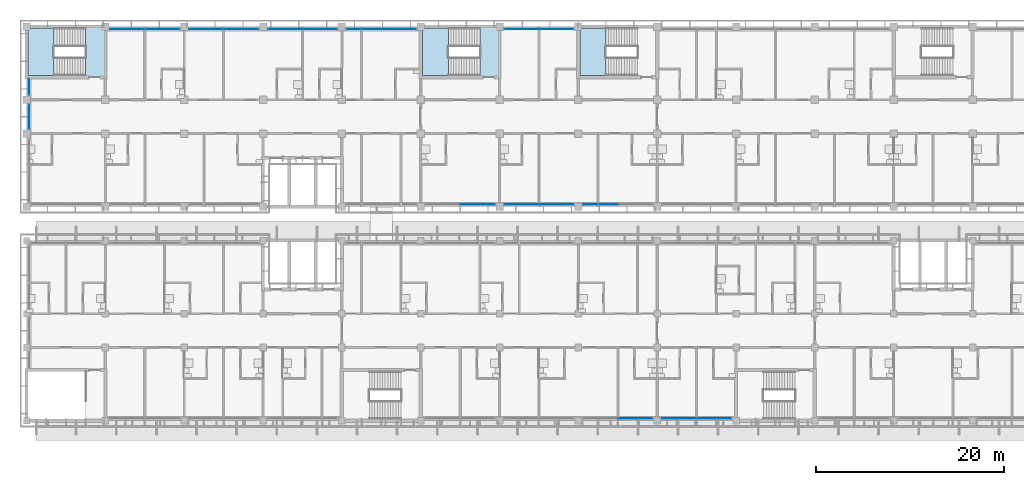
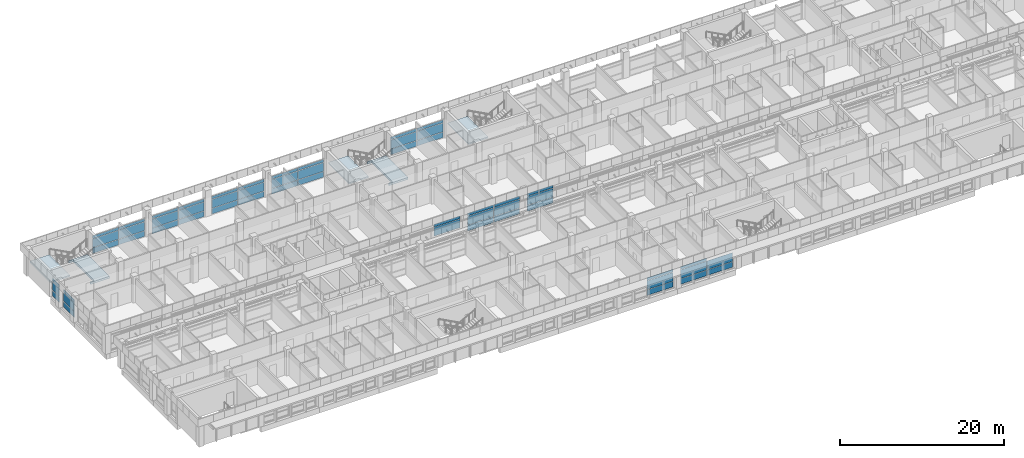
# One storey, part 22 of 71: 55 plates, 5 slabs, 15 elements without a shape of their own.
"""IFC4 building model written with IfcOpenShell, lengths in metres."""

from ifc_helpers import new_model, si_unit, direction, frame, origin, origin_2d, place, context, subcontext, project, spatial, polyline, rectangle, outline, extrude, material, layer, layer_set, type_object, element, aggregate, save


model = new_model("IFC4")

# Units and contexts
model_context = context("Model", 3, precision=1e-05, world=origin(), true_north=direction((0.0, 1.0)))
body_context = subcontext(model_context, "Body", "Model", "MODEL_VIEW")
ifc_project = project(units=[si_unit("LENGTHUNIT", "METRE"), si_unit("AREAUNIT", "SQUARE_METRE"), si_unit("VOLUMEUNIT", "CUBIC_METRE"), si_unit("PLANEANGLEUNIT", "RADIAN"), si_unit("MASSUNIT", "GRAM", prefix="KILO")], contexts=[model_context])

# Site, building, storey
site_placement = place(None, origin())
site = spatial("IfcSite", under=ifc_project, at=site_placement, CompositionType="ELEMENT")
building_placement = place(site_placement, origin())
building = spatial("IfcBuilding", under=site, at=building_placement, Name="Bougainvillea Quay General Hospital", CompositionType="ELEMENT")
storey_placement = place(building_placement, frame((0.0, 0.0, 24.89990234375)))
storey = spatial("IfcBuildingStorey", under=building, at=storey_placement, Name="L05", CompositionType="ELEMENT", Elevation=24.89990234375)

# Curtain wall, plates
ifc_material_1 = material(Name="Aluminium curtain wall system, powder-coated glazed", Category="aluminium")
curtain_wall_type_1 = type_object("IfcCurtainWallType", Name="Unitised curtain wall CW-3730", PredefinedType="NOTDEFINED", material=ifc_material_1)
curtain_wall_1_placement = place(storey_placement, origin())
curtain_wall_1 = element("IfcCurtainWall", 1, at=curtain_wall_1_placement, inside=storey, type_object=curtain_wall_type_1, Name="CW-4200 07", PredefinedType="NOTDEFINED")
ifc_material_2 = material(Name="Insulated aluminium spandrel panel, white", Category="aluminium")
ifc_layer_1 = layer(ifc_material_2, 0.028076171875)
ifc_layer_set_1 = layer_set([ifc_layer_1], Name="Insulated aluminium spandrel panel, white")
plate_type_1 = type_object("IfcPlateType", Name="Insulated spandrel panel white 28", PredefinedType="CURTAIN_PANEL", material=ifc_layer_set_1)
plate_1_placement = place(storey_placement, frame((98.449951171875, 159.35009765625, 0.06005859375), z_axis=(0.0, 0.0, 1.0), x_axis=(-1.0, 0.0, 0.0)))
plate_1 = element("IfcPlate", 2, at=plate_1_placement, type_object=plate_type_1, Name="CW-4200 spandrel panel 1.1", PredefinedType="CURTAIN_PANEL", context=body_context, shape_type="SweptSolid", body=[
    extrude(rectangle(XDim=3.639892578125, YDim=0.028076171875, at=origin_2d()), origin(), (0.0, 0.0, 1.0), 0.81005859375),
])
plate_2_placement = place(storey_placement, frame((98.449951171875, 159.35009765625, 2.2802734375), z_axis=(0.0, 0.0, 1.0), x_axis=(-1.0, 0.0, 0.0)))
plate_2 = element("IfcPlate", 3, at=plate_2_placement, type_object=plate_type_1, Name="CW-4200 spandrel panel 1.3", PredefinedType="CURTAIN_PANEL", context=body_context, shape_type="SweptSolid", body=[
    extrude(rectangle(XDim=3.639892578125, YDim=0.028076171875, at=origin_2d()), origin(), (0.0, 0.0, 1.0), 0.409912109375),
])
plate_3_placement = place(storey_placement, frame((94.75, 159.35009765625, 0.06005859375), z_axis=(0.0, 0.0, 1.0), x_axis=(-1.0, 0.0, 0.0)))
plate_3 = element("IfcPlate", 4, at=plate_3_placement, type_object=plate_type_1, Name="CW-4200 spandrel panel 2.1", PredefinedType="CURTAIN_PANEL", context=body_context, shape_type="SweptSolid", body=[
    extrude(rectangle(XDim=3.639892578125, YDim=0.028076171875, at=origin_2d()), origin(), (0.0, 0.0, 1.0), 0.81005859375),
])
plate_4_placement = place(storey_placement, frame((94.75, 159.35009765625, 2.2802734375), z_axis=(0.0, 0.0, 1.0), x_axis=(-1.0, 0.0, 0.0)))
plate_4 = element("IfcPlate", 5, at=plate_4_placement, type_object=plate_type_1, Name="CW-4200 spandrel panel 2.3", PredefinedType="CURTAIN_PANEL", context=body_context, shape_type="SweptSolid", body=[
    extrude(rectangle(XDim=3.639892578125, YDim=0.028076171875, at=origin_2d()), origin(), (0.0, 0.0, 1.0), 0.409912109375),
])

curtain_wall_2_placement = place(storey_placement, origin())
curtain_wall_2 = element("IfcCurtainWall", 6, at=curtain_wall_2_placement, inside=storey, type_object=curtain_wall_type_1, Name="CW-4200 08", PredefinedType="NOTDEFINED")
plate_5_placement = place(storey_placement, frame((81.64990234375, 159.35009765625, 0.06005859375), z_axis=(0.0, 0.0, 1.0), x_axis=(-1.0, 0.0, 0.0)))
plate_5 = element("IfcPlate", 7, at=plate_5_placement, type_object=plate_type_1, Name="CW-4200 spandrel panel 1.1", PredefinedType="CURTAIN_PANEL", context=body_context, shape_type="SweptSolid", body=[
    extrude(rectangle(XDim=3.639892578125, YDim=0.028076171875, at=origin_2d()), origin(), (0.0, 0.0, 1.0), 0.81005859375),
])
plate_6_placement = place(storey_placement, frame((81.64990234375, 159.35009765625, 2.2802734375), z_axis=(0.0, 0.0, 1.0), x_axis=(-1.0, 0.0, 0.0)))
plate_6 = element("IfcPlate", 8, at=plate_6_placement, type_object=plate_type_1, Name="CW-4200 spandrel panel 1.3", PredefinedType="CURTAIN_PANEL", context=body_context, shape_type="SweptSolid", body=[
    extrude(rectangle(XDim=3.639892578125, YDim=0.028076171875, at=origin_2d()), origin(), (0.0, 0.0, 1.0), 0.409912109375),
])
plate_7_placement = place(storey_placement, frame((77.949951171875, 159.35009765625, 0.06005859375), z_axis=(0.0, 0.0, 1.0), x_axis=(-1.0, 0.0, 0.0)))
plate_7 = element("IfcPlate", 9, at=plate_7_placement, type_object=plate_type_1, Name="CW-4200 spandrel panel 2.1", PredefinedType="CURTAIN_PANEL", context=body_context, shape_type="SweptSolid", body=[
    extrude(rectangle(XDim=3.639892578125, YDim=0.028076171875, at=origin_2d()), origin(), (0.0, 0.0, 1.0), 0.81005859375),
])
plate_8_placement = place(storey_placement, frame((77.949951171875, 159.35009765625, 2.2802734375), z_axis=(0.0, 0.0, 1.0), x_axis=(-1.0, 0.0, 0.0)))
plate_8 = element("IfcPlate", 10, at=plate_8_placement, type_object=plate_type_1, Name="CW-4200 spandrel panel 2.3", PredefinedType="CURTAIN_PANEL", context=body_context, shape_type="SweptSolid", body=[
    extrude(rectangle(XDim=3.639892578125, YDim=0.028076171875, at=origin_2d()), origin(), (0.0, 0.0, 1.0), 0.409912109375),
])

curtain_wall_3_placement = place(storey_placement, origin())
curtain_wall_3 = element("IfcCurtainWall", 11, at=curtain_wall_3_placement, inside=storey, type_object=curtain_wall_type_1, Name="CW-4200 09", PredefinedType="NOTDEFINED")
plate_9_placement = place(storey_placement, frame((73.25, 159.35009765625, 0.06005859375), z_axis=(0.0, 0.0, 1.0), x_axis=(-1.0, 0.0, 0.0)))
plate_9 = element("IfcPlate", 12, at=plate_9_placement, type_object=plate_type_1, Name="CW-4200 spandrel panel 1.1", PredefinedType="CURTAIN_PANEL", context=body_context, shape_type="SweptSolid", body=[
    extrude(rectangle(XDim=3.639892578125, YDim=0.028076171875, at=origin_2d()), origin(), (0.0, 0.0, 1.0), 0.81005859375),
])
plate_10_placement = place(storey_placement, frame((73.25, 159.35009765625, 2.2802734375), z_axis=(0.0, 0.0, 1.0), x_axis=(-1.0, 0.0, 0.0)))
plate_10 = element("IfcPlate", 13, at=plate_10_placement, type_object=plate_type_1, Name="CW-4200 spandrel panel 1.3", PredefinedType="CURTAIN_PANEL", context=body_context, shape_type="SweptSolid", body=[
    extrude(rectangle(XDim=3.639892578125, YDim=0.028076171875, at=origin_2d()), origin(), (0.0, 0.0, 1.0), 0.409912109375),
])
plate_11_placement = place(storey_placement, frame((69.550048828125, 159.35009765625, 0.06005859375), z_axis=(0.0, 0.0, 1.0), x_axis=(-1.0, 0.0, 0.0)))
plate_11 = element("IfcPlate", 14, at=plate_11_placement, type_object=plate_type_1, Name="CW-4200 spandrel panel 2.1", PredefinedType="CURTAIN_PANEL", context=body_context, shape_type="SweptSolid", body=[
    extrude(rectangle(XDim=3.639892578125, YDim=0.028076171875, at=origin_2d()), origin(), (0.0, 0.0, 1.0), 0.81005859375),
])
plate_12_placement = place(storey_placement, frame((69.550048828125, 159.35009765625, 2.2802734375), z_axis=(0.0, 0.0, 1.0), x_axis=(-1.0, 0.0, 0.0)))
plate_12 = element("IfcPlate", 15, at=plate_12_placement, type_object=plate_type_1, Name="CW-4200 spandrel panel 2.3", PredefinedType="CURTAIN_PANEL", context=body_context, shape_type="SweptSolid", body=[
    extrude(rectangle(XDim=3.639892578125, YDim=0.028076171875, at=origin_2d()), origin(), (0.0, 0.0, 1.0), 0.409912109375),
])

curtain_wall_4_placement = place(storey_placement, origin())
curtain_wall_4 = element("IfcCurtainWall", 16, at=curtain_wall_4_placement, inside=storey, type_object=curtain_wall_type_1, Name="CW-4200 10", PredefinedType="NOTDEFINED")
plate_13_placement = place(storey_placement, frame((64.85009765625, 159.35009765625, 0.06005859375), z_axis=(0.0, 0.0, 1.0), x_axis=(-1.0, 0.0, 0.0)))
plate_13 = element("IfcPlate", 17, at=plate_13_placement, type_object=plate_type_1, Name="CW-4200 spandrel panel 1.1", PredefinedType="CURTAIN_PANEL", context=body_context, shape_type="SweptSolid", body=[
    extrude(rectangle(XDim=3.639892578125, YDim=0.028076171875, at=origin_2d()), origin(), (0.0, 0.0, 1.0), 0.81005859375),
])
plate_14_placement = place(storey_placement, frame((64.85009765625, 159.35009765625, 2.2802734375), z_axis=(0.0, 0.0, 1.0), x_axis=(-1.0, 0.0, 0.0)))
plate_14 = element("IfcPlate", 18, at=plate_14_placement, type_object=plate_type_1, Name="CW-4200 spandrel panel 1.3", PredefinedType="CURTAIN_PANEL", context=body_context, shape_type="SweptSolid", body=[
    extrude(rectangle(XDim=3.639892578125, YDim=0.028076171875, at=origin_2d()), origin(), (0.0, 0.0, 1.0), 0.409912109375),
])
plate_15_placement = place(storey_placement, frame((61.14990234375, 159.35009765625, 0.06005859375), z_axis=(0.0, 0.0, 1.0), x_axis=(-1.0, 0.0, 0.0)))
plate_15 = element("IfcPlate", 19, at=plate_15_placement, type_object=plate_type_1, Name="CW-4200 spandrel panel 2.1", PredefinedType="CURTAIN_PANEL", context=body_context, shape_type="SweptSolid", body=[
    extrude(rectangle(XDim=3.639892578125, YDim=0.028076171875, at=origin_2d()), origin(), (0.0, 0.0, 1.0), 0.81005859375),
])
plate_16_placement = place(storey_placement, frame((61.14990234375, 159.35009765625, 2.2802734375), z_axis=(0.0, 0.0, 1.0), x_axis=(-1.0, 0.0, 0.0)))
plate_16 = element("IfcPlate", 20, at=plate_16_placement, type_object=plate_type_1, Name="CW-4200 spandrel panel 2.3", PredefinedType="CURTAIN_PANEL", context=body_context, shape_type="SweptSolid", body=[
    extrude(rectangle(XDim=3.639892578125, YDim=0.028076171875, at=origin_2d()), origin(), (0.0, 0.0, 1.0), 0.409912109375),
])

curtain_wall_5_placement = place(storey_placement, origin())
curtain_wall_5 = element("IfcCurtainWall", 21, at=curtain_wall_5_placement, inside=storey, type_object=curtain_wall_type_1, Name="CW-4200 11", PredefinedType="NOTDEFINED")
plate_17_placement = place(storey_placement, frame((56.449951171875, 159.35009765625, 0.06005859375), z_axis=(0.0, 0.0, 1.0), x_axis=(-1.0, 0.0, 0.0)))
plate_17 = element("IfcPlate", 22, at=plate_17_placement, type_object=plate_type_1, Name="CW-4200 spandrel panel 1.1", PredefinedType="CURTAIN_PANEL", context=body_context, shape_type="SweptSolid", body=[
    extrude(rectangle(XDim=3.639892578125, YDim=0.028076171875, at=origin_2d()), origin(), (0.0, 0.0, 1.0), 0.81005859375),
])
plate_18_placement = place(storey_placement, frame((56.449951171875, 159.35009765625, 2.2802734375), z_axis=(0.0, 0.0, 1.0), x_axis=(-1.0, 0.0, 0.0)))
plate_18 = element("IfcPlate", 23, at=plate_18_placement, type_object=plate_type_1, Name="CW-4200 spandrel panel 1.3", PredefinedType="CURTAIN_PANEL", context=body_context, shape_type="SweptSolid", body=[
    extrude(rectangle(XDim=3.639892578125, YDim=0.028076171875, at=origin_2d()), origin(), (0.0, 0.0, 1.0), 0.409912109375),
])
plate_19_placement = place(storey_placement, frame((52.75, 159.35009765625, 0.06005859375), z_axis=(0.0, 0.0, 1.0), x_axis=(-1.0, 0.0, 0.0)))
plate_19 = element("IfcPlate", 24, at=plate_19_placement, type_object=plate_type_1, Name="CW-4200 spandrel panel 2.1", PredefinedType="CURTAIN_PANEL", context=body_context, shape_type="SweptSolid", body=[
    extrude(rectangle(XDim=3.639892578125, YDim=0.028076171875, at=origin_2d()), origin(), (0.0, 0.0, 1.0), 0.81005859375),
])
plate_20_placement = place(storey_placement, frame((52.75, 159.35009765625, 2.2802734375), z_axis=(0.0, 0.0, 1.0), x_axis=(-1.0, 0.0, 0.0)))
plate_20 = element("IfcPlate", 25, at=plate_20_placement, type_object=plate_type_1, Name="CW-4200 spandrel panel 2.3", PredefinedType="CURTAIN_PANEL", context=body_context, shape_type="SweptSolid", body=[
    extrude(rectangle(XDim=3.639892578125, YDim=0.028076171875, at=origin_2d()), origin(), (0.0, 0.0, 1.0), 0.409912109375),
])

curtain_wall_type_2 = type_object("IfcCurtainWallType", Name="Unitised curtain wall CW-1755", PredefinedType="NOTDEFINED", material=ifc_material_1)
curtain_wall_6_placement = place(storey_placement, origin())
curtain_wall_6 = element("IfcCurtainWall", 26, at=curtain_wall_6_placement, inside=storey, type_object=curtain_wall_type_2, Name="CW-4200 00", PredefinedType="NOTDEFINED")
plate_21_placement = place(storey_placement, frame((42.25, 153.1474609375, 0.06005859375), z_axis=(0.0, 0.0, 1.0), x_axis=(0.0, -1.0, 0.0)))
plate_21 = element("IfcPlate", 27, at=plate_21_placement, type_object=plate_type_1, Name="CW-4200 spandrel panel 1.1", PredefinedType="CURTAIN_PANEL", context=body_context, shape_type="SweptSolid", body=[
    extrude(rectangle(XDim=1.635009765625, YDim=0.028076171875, at=origin_2d()), origin(), (0.0, 0.0, 1.0), 0.81005859375),
])
plate_22_placement = place(storey_placement, frame((42.25, 153.1474609375, 2.2802734375), z_axis=(0.0, 0.0, 1.0), x_axis=(0.0, -1.0, 0.0)))
plate_22 = element("IfcPlate", 28, at=plate_22_placement, type_object=plate_type_1, Name="CW-4200 spandrel panel 1.3", PredefinedType="CURTAIN_PANEL", context=body_context, shape_type="SweptSolid", body=[
    extrude(rectangle(XDim=1.635009765625, YDim=0.028076171875, at=origin_2d()), origin(), (0.0, 0.0, 1.0), 0.409912109375),
])

curtain_wall_type_3 = type_object("IfcCurtainWallType", Name="Unitised curtain wall CW-2660", PredefinedType="NOTDEFINED", material=ifc_material_1)
curtain_wall_7_placement = place(storey_placement, origin())
curtain_wall_7 = element("IfcCurtainWall", 29, at=curtain_wall_7_placement, inside=storey, type_object=curtain_wall_type_3, Name="CW-4200 01", PredefinedType="NOTDEFINED")
plate_23_placement = place(storey_placement, frame((42.25, 150.0, 0.06005859375), z_axis=(0.0, 0.0, 1.0), x_axis=(0.0, -1.0, 0.0)))
plate_23 = element("IfcPlate", 30, at=plate_23_placement, type_object=plate_type_1, Name="CW-4200 spandrel panel 1.1", PredefinedType="CURTAIN_PANEL", context=body_context, shape_type="SweptSolid", body=[
    extrude(rectangle(XDim=2.5400390625, YDim=0.028076171875, at=origin_2d()), origin(), (0.0, 0.0, 1.0), 0.81005859375),
])
plate_24_placement = place(storey_placement, frame((42.25, 150.0, 2.2802734375), z_axis=(0.0, 0.0, 1.0), x_axis=(0.0, -1.0, 0.0)))
plate_24 = element("IfcPlate", 31, at=plate_24_placement, type_object=plate_type_1, Name="CW-4200 spandrel panel 1.3", PredefinedType="CURTAIN_PANEL", context=body_context, shape_type="SweptSolid", body=[
    extrude(rectangle(XDim=2.5400390625, YDim=0.028076171875, at=origin_2d()), origin(), (0.0, 0.0, 1.0), 0.409912109375),
])

# Curtain wall, plate
curtain_wall_8_placement = place(storey_placement, origin())
curtain_wall_8 = element("IfcCurtainWall", 32, at=curtain_wall_8_placement, inside=storey, type_object=curtain_wall_type_1, Name="CW-4200 01", PredefinedType="NOTDEFINED")
plate_25_placement = place(storey_placement, frame((90.050048828125, 140.64990234375, 2.2802734375), z_axis=(0.0, 0.0, 1.0), x_axis=(1.0, 0.0, 0.0)))
plate_25 = element("IfcPlate", 33, at=plate_25_placement, type_object=plate_type_1, Name="CW-4200 spandrel panel 2.3", PredefinedType="CURTAIN_PANEL", context=body_context, shape_type="SweptSolid", body=[
    extrude(rectangle(XDim=3.639892578125, YDim=0.028076171875, at=origin_2d()), origin(), (0.0, 0.0, 1.0), 0.409912109375),
])

# Curtain wall, plates
curtain_wall_9_placement = place(storey_placement, origin())
curtain_wall_9 = element("IfcCurtainWall", 34, at=curtain_wall_9_placement, inside=storey, type_object=curtain_wall_type_1, Name="CW-4200 02", PredefinedType="NOTDEFINED")
plate_26_placement = place(storey_placement, frame((94.75, 140.64990234375, 0.06005859375), z_axis=(0.0, 0.0, 1.0), x_axis=(1.0, 0.0, 0.0)))
plate_26 = element("IfcPlate", 35, at=plate_26_placement, type_object=plate_type_1, Name="CW-4200 spandrel panel 1.1", PredefinedType="CURTAIN_PANEL", context=body_context, shape_type="SweptSolid", body=[
    extrude(rectangle(XDim=3.639892578125, YDim=0.028076171875, at=origin_2d()), origin(), (0.0, 0.0, 1.0), 0.81005859375),
])
plate_27_placement = place(storey_placement, frame((94.75, 140.64990234375, 2.2802734375), z_axis=(0.0, 0.0, 1.0), x_axis=(1.0, 0.0, 0.0)))
plate_27 = element("IfcPlate", 36, at=plate_27_placement, type_object=plate_type_1, Name="CW-4200 spandrel panel 1.3", PredefinedType="CURTAIN_PANEL", context=body_context, shape_type="SweptSolid", body=[
    extrude(rectangle(XDim=3.639892578125, YDim=0.028076171875, at=origin_2d()), origin(), (0.0, 0.0, 1.0), 0.409912109375),
])
plate_28_placement = place(storey_placement, frame((98.449951171875, 140.64990234375, 0.06005859375), z_axis=(0.0, 0.0, 1.0), x_axis=(1.0, 0.0, 0.0)))
plate_28 = element("IfcPlate", 37, at=plate_28_placement, type_object=plate_type_1, Name="CW-4200 spandrel panel 2.1", PredefinedType="CURTAIN_PANEL", context=body_context, shape_type="SweptSolid", body=[
    extrude(rectangle(XDim=3.639892578125, YDim=0.028076171875, at=origin_2d()), origin(), (0.0, 0.0, 1.0), 0.81005859375),
])
plate_29_placement = place(storey_placement, frame((98.449951171875, 140.64990234375, 2.2802734375), z_axis=(0.0, 0.0, 1.0), x_axis=(1.0, 0.0, 0.0)))
plate_29 = element("IfcPlate", 38, at=plate_29_placement, type_object=plate_type_1, Name="CW-4200 spandrel panel 2.3", PredefinedType="CURTAIN_PANEL", context=body_context, shape_type="SweptSolid", body=[
    extrude(rectangle(XDim=3.639892578125, YDim=0.028076171875, at=origin_2d()), origin(), (0.0, 0.0, 1.0), 0.409912109375),
])

curtain_wall_10_placement = place(storey_placement, origin())
curtain_wall_10 = element("IfcCurtainWall", 39, at=curtain_wall_10_placement, inside=storey, type_object=curtain_wall_type_1, Name="CW-4200 03", PredefinedType="NOTDEFINED")
plate_30_placement = place(storey_placement, frame((103.14990234375, 140.64990234375, 0.06005859375), z_axis=(0.0, 0.0, 1.0), x_axis=(1.0, 0.0, 0.0)))
plate_30 = element("IfcPlate", 40, at=plate_30_placement, type_object=plate_type_1, Name="CW-4200 spandrel panel 1.1", PredefinedType="CURTAIN_PANEL", context=body_context, shape_type="SweptSolid", body=[
    extrude(rectangle(XDim=3.639892578125, YDim=0.028076171875, at=origin_2d()), origin(), (0.0, 0.0, 1.0), 0.81005859375),
])
plate_31_placement = place(storey_placement, frame((103.14990234375, 140.64990234375, 2.2802734375), z_axis=(0.0, 0.0, 1.0), x_axis=(1.0, 0.0, 0.0)))
plate_31 = element("IfcPlate", 41, at=plate_31_placement, type_object=plate_type_1, Name="CW-4200 spandrel panel 1.3", PredefinedType="CURTAIN_PANEL", context=body_context, shape_type="SweptSolid", body=[
    extrude(rectangle(XDim=3.639892578125, YDim=0.028076171875, at=origin_2d()), origin(), (0.0, 0.0, 1.0), 0.409912109375),
])

curtain_wall_11_placement = place(storey_placement, origin())
curtain_wall_11 = element("IfcCurtainWall", 42, at=curtain_wall_11_placement, inside=storey, type_object=curtain_wall_type_1, Name="CW-4200 05", PredefinedType="NOTDEFINED")
plate_32_placement = place(storey_placement, frame((106.85009765625, 117.85009765625, 0.06005859375), z_axis=(0.0, 0.0, 1.0), x_axis=(1.0, 0.0, 0.0)))
plate_32 = element("IfcPlate", 43, at=plate_32_placement, type_object=plate_type_1, Name="CW-4200 spandrel panel 2.1", PredefinedType="CURTAIN_PANEL", context=body_context, shape_type="SweptSolid", body=[
    extrude(rectangle(XDim=3.639892578125, YDim=0.028076171875, at=origin_2d()), origin(), (0.0, 0.0, 1.0), 0.81005859375),
])
plate_33_placement = place(storey_placement, frame((106.85009765625, 117.85009765625, 2.2802734375), z_axis=(0.0, 0.0, 1.0), x_axis=(1.0, 0.0, 0.0)))
plate_33 = element("IfcPlate", 44, at=plate_33_placement, type_object=plate_type_1, Name="CW-4200 spandrel panel 2.3", PredefinedType="CURTAIN_PANEL", context=body_context, shape_type="SweptSolid", body=[
    extrude(rectangle(XDim=3.639892578125, YDim=0.028076171875, at=origin_2d()), origin(), (0.0, 0.0, 1.0), 0.409912109375),
])

curtain_wall_12_placement = place(storey_placement, origin())
curtain_wall_12 = element("IfcCurtainWall", 45, at=curtain_wall_12_placement, inside=storey, type_object=curtain_wall_type_1, Name="CW-4200 06", PredefinedType="NOTDEFINED")
plate_34_placement = place(storey_placement, frame((111.550048828125, 117.85009765625, 0.06005859375), z_axis=(0.0, 0.0, 1.0), x_axis=(1.0, 0.0, 0.0)))
plate_34 = element("IfcPlate", 46, at=plate_34_placement, type_object=plate_type_1, Name="CW-4200 spandrel panel 1.1", PredefinedType="CURTAIN_PANEL", context=body_context, shape_type="SweptSolid", body=[
    extrude(rectangle(XDim=3.639892578125, YDim=0.028076171875, at=origin_2d()), origin(), (0.0, 0.0, 1.0), 0.81005859375),
])
plate_35_placement = place(storey_placement, frame((111.550048828125, 117.85009765625, 2.2802734375), z_axis=(0.0, 0.0, 1.0), x_axis=(1.0, 0.0, 0.0)))
plate_35 = element("IfcPlate", 47, at=plate_35_placement, type_object=plate_type_1, Name="CW-4200 spandrel panel 1.3", PredefinedType="CURTAIN_PANEL", context=body_context, shape_type="SweptSolid", body=[
    extrude(rectangle(XDim=3.639892578125, YDim=0.028076171875, at=origin_2d()), origin(), (0.0, 0.0, 1.0), 0.409912109375),
])
plate_36_placement = place(storey_placement, frame((115.25, 117.85009765625, 0.06005859375), z_axis=(0.0, 0.0, 1.0), x_axis=(1.0, 0.0, 0.0)))
plate_36 = element("IfcPlate", 48, at=plate_36_placement, type_object=plate_type_1, Name="CW-4200 spandrel panel 2.1", PredefinedType="CURTAIN_PANEL", context=body_context, shape_type="SweptSolid", body=[
    extrude(rectangle(XDim=3.639892578125, YDim=0.028076171875, at=origin_2d()), origin(), (0.0, 0.0, 1.0), 0.81005859375),
])

# Plate
ifc_material_3 = material(Name="Low-e laminated glass, solar control", Category="glass")
ifc_layer_2 = layer(ifc_material_3, 0.028076171875)
ifc_layer_set_2 = layer_set([ifc_layer_2], Name="Low-e laminated glass, solar control")
plate_type_2 = type_object("IfcPlateType", Name="Low-e laminated vision glass 28", PredefinedType="CURTAIN_PANEL", material=ifc_layer_set_2)
plate_37_placement = place(storey_placement, frame((98.449951171875, 159.35009765625, 0.93017578125), z_axis=(0.0, 0.0, 1.0), x_axis=(-1.0, 0.0, 0.0)))
plate_37 = element("IfcPlate", 49, at=plate_37_placement, type_object=plate_type_2, Name="CW-4200 vision glass panel 1.2", PredefinedType="CURTAIN_PANEL", context=body_context, shape_type="SweptSolid", body=[
    extrude(rectangle(XDim=3.639892578125, YDim=0.028076171875, at=origin_2d()), origin(), (0.0, 0.0, 1.0), 1.2900390625),
])

plate_38_placement = place(storey_placement, frame((94.75, 159.35009765625, 0.93017578125), z_axis=(0.0, 0.0, 1.0), x_axis=(-1.0, 0.0, 0.0)))
plate_38 = element("IfcPlate", 50, at=plate_38_placement, type_object=plate_type_2, Name="CW-4200 vision glass panel 2.2", PredefinedType="CURTAIN_PANEL", context=body_context, shape_type="SweptSolid", body=[
    extrude(rectangle(XDim=3.639892578125, YDim=0.028076171875, at=origin_2d()), origin(), (0.0, 0.0, 1.0), 1.2900390625),
])

aggregate(curtain_wall_1, [plate_1, plate_37, plate_2, plate_3, plate_38, plate_4])

plate_39_placement = place(storey_placement, frame((81.64990234375, 159.35009765625, 0.93017578125), z_axis=(0.0, 0.0, 1.0), x_axis=(-1.0, 0.0, 0.0)))
plate_39 = element("IfcPlate", 51, at=plate_39_placement, type_object=plate_type_2, Name="CW-4200 vision glass panel 1.2", PredefinedType="CURTAIN_PANEL", context=body_context, shape_type="SweptSolid", body=[
    extrude(rectangle(XDim=3.639892578125, YDim=0.028076171875, at=origin_2d()), origin(), (0.0, 0.0, 1.0), 1.2900390625),
])

plate_40_placement = place(storey_placement, frame((77.949951171875, 159.35009765625, 0.93017578125), z_axis=(0.0, 0.0, 1.0), x_axis=(-1.0, 0.0, 0.0)))
plate_40 = element("IfcPlate", 52, at=plate_40_placement, type_object=plate_type_2, Name="CW-4200 vision glass panel 2.2", PredefinedType="CURTAIN_PANEL", context=body_context, shape_type="SweptSolid", body=[
    extrude(rectangle(XDim=3.639892578125, YDim=0.028076171875, at=origin_2d()), origin(), (0.0, 0.0, 1.0), 1.2900390625),
])

aggregate(curtain_wall_2, [plate_5, plate_39, plate_6, plate_7, plate_40, plate_8])

plate_41_placement = place(storey_placement, frame((73.25, 159.35009765625, 0.93017578125), z_axis=(0.0, 0.0, 1.0), x_axis=(-1.0, 0.0, 0.0)))
plate_41 = element("IfcPlate", 53, at=plate_41_placement, type_object=plate_type_2, Name="CW-4200 vision glass panel 1.2", PredefinedType="CURTAIN_PANEL", context=body_context, shape_type="SweptSolid", body=[
    extrude(rectangle(XDim=3.639892578125, YDim=0.028076171875, at=origin_2d()), origin(), (0.0, 0.0, 1.0), 1.2900390625),
])

plate_42_placement = place(storey_placement, frame((69.550048828125, 159.35009765625, 0.93017578125), z_axis=(0.0, 0.0, 1.0), x_axis=(-1.0, 0.0, 0.0)))
plate_42 = element("IfcPlate", 54, at=plate_42_placement, type_object=plate_type_2, Name="CW-4200 vision glass panel 2.2", PredefinedType="CURTAIN_PANEL", context=body_context, shape_type="SweptSolid", body=[
    extrude(rectangle(XDim=3.639892578125, YDim=0.028076171875, at=origin_2d()), origin(), (0.0, 0.0, 1.0), 1.2900390625),
])

aggregate(curtain_wall_3, [plate_9, plate_41, plate_10, plate_11, plate_42, plate_12])

plate_43_placement = place(storey_placement, frame((64.85009765625, 159.35009765625, 0.93017578125), z_axis=(0.0, 0.0, 1.0), x_axis=(-1.0, 0.0, 0.0)))
plate_43 = element("IfcPlate", 55, at=plate_43_placement, type_object=plate_type_2, Name="CW-4200 vision glass panel 1.2", PredefinedType="CURTAIN_PANEL", context=body_context, shape_type="SweptSolid", body=[
    extrude(rectangle(XDim=3.639892578125, YDim=0.028076171875, at=origin_2d()), origin(), (0.0, 0.0, 1.0), 1.2900390625),
])

plate_44_placement = place(storey_placement, frame((61.14990234375, 159.35009765625, 0.93017578125), z_axis=(0.0, 0.0, 1.0), x_axis=(-1.0, 0.0, 0.0)))
plate_44 = element("IfcPlate", 56, at=plate_44_placement, type_object=plate_type_2, Name="CW-4200 vision glass panel 2.2", PredefinedType="CURTAIN_PANEL", context=body_context, shape_type="SweptSolid", body=[
    extrude(rectangle(XDim=3.639892578125, YDim=0.028076171875, at=origin_2d()), origin(), (0.0, 0.0, 1.0), 1.2900390625),
])

aggregate(curtain_wall_4, [plate_13, plate_43, plate_14, plate_15, plate_44, plate_16])

plate_45_placement = place(storey_placement, frame((56.449951171875, 159.35009765625, 0.93017578125), z_axis=(0.0, 0.0, 1.0), x_axis=(-1.0, 0.0, 0.0)))
plate_45 = element("IfcPlate", 57, at=plate_45_placement, type_object=plate_type_2, Name="CW-4200 vision glass panel 1.2", PredefinedType="CURTAIN_PANEL", context=body_context, shape_type="SweptSolid", body=[
    extrude(rectangle(XDim=3.639892578125, YDim=0.028076171875, at=origin_2d()), origin(), (0.0, 0.0, 1.0), 1.2900390625),
])

plate_46_placement = place(storey_placement, frame((52.75, 159.35009765625, 0.93017578125), z_axis=(0.0, 0.0, 1.0), x_axis=(-1.0, 0.0, 0.0)))
plate_46 = element("IfcPlate", 58, at=plate_46_placement, type_object=plate_type_2, Name="CW-4200 vision glass panel 2.2", PredefinedType="CURTAIN_PANEL", context=body_context, shape_type="SweptSolid", body=[
    extrude(rectangle(XDim=3.639892578125, YDim=0.028076171875, at=origin_2d()), origin(), (0.0, 0.0, 1.0), 1.2900390625),
])

aggregate(curtain_wall_5, [plate_17, plate_45, plate_18, plate_19, plate_46, plate_20])

plate_47_placement = place(storey_placement, frame((42.25, 153.1474609375, 0.93017578125), z_axis=(0.0, 0.0, 1.0), x_axis=(0.0, -1.0, 0.0)))
plate_47 = element("IfcPlate", 59, at=plate_47_placement, type_object=plate_type_2, Name="CW-4200 vision glass panel 1.2", PredefinedType="CURTAIN_PANEL", context=body_context, shape_type="SweptSolid", body=[
    extrude(rectangle(XDim=1.635009765625, YDim=0.028076171875, at=origin_2d()), origin(), (0.0, 0.0, 1.0), 1.2900390625),
])

aggregate(curtain_wall_6, [plate_21, plate_47, plate_22])

plate_48_placement = place(storey_placement, frame((42.25, 150.0, 0.93017578125), z_axis=(0.0, 0.0, 1.0), x_axis=(0.0, -1.0, 0.0)))
plate_48 = element("IfcPlate", 60, at=plate_48_placement, type_object=plate_type_2, Name="CW-4200 vision glass panel 1.2", PredefinedType="CURTAIN_PANEL", context=body_context, shape_type="SweptSolid", body=[
    extrude(rectangle(XDim=2.5400390625, YDim=0.028076171875, at=origin_2d()), origin(), (0.0, 0.0, 1.0), 1.2900390625),
])

aggregate(curtain_wall_7, [plate_23, plate_48, plate_24])

plate_49_placement = place(storey_placement, frame((90.050048828125, 140.64990234375, 0.93017578125), z_axis=(0.0, 0.0, 1.0), x_axis=(1.0, 0.0, 0.0)))
plate_49 = element("IfcPlate", 61, at=plate_49_placement, type_object=plate_type_2, Name="CW-4200 vision glass panel 2.2", PredefinedType="CURTAIN_PANEL", context=body_context, shape_type="SweptSolid", body=[
    extrude(rectangle(XDim=3.639892578125, YDim=0.028076171875, at=origin_2d()), origin(), (0.0, 0.0, 1.0), 1.2900390625),
])

aggregate(curtain_wall_8, [plate_49, plate_25])

plate_50_placement = place(storey_placement, frame((94.75, 140.64990234375, 0.93017578125), z_axis=(0.0, 0.0, 1.0), x_axis=(1.0, 0.0, 0.0)))
plate_50 = element("IfcPlate", 62, at=plate_50_placement, type_object=plate_type_2, Name="CW-4200 vision glass panel 1.2", PredefinedType="CURTAIN_PANEL", context=body_context, shape_type="SweptSolid", body=[
    extrude(rectangle(XDim=3.639892578125, YDim=0.028076171875, at=origin_2d()), origin(), (0.0, 0.0, 1.0), 1.2900390625),
])

plate_51_placement = place(storey_placement, frame((98.449951171875, 140.64990234375, 0.93017578125), z_axis=(0.0, 0.0, 1.0), x_axis=(1.0, 0.0, 0.0)))
plate_51 = element("IfcPlate", 63, at=plate_51_placement, type_object=plate_type_2, Name="CW-4200 vision glass panel 2.2", PredefinedType="CURTAIN_PANEL", context=body_context, shape_type="SweptSolid", body=[
    extrude(rectangle(XDim=3.639892578125, YDim=0.028076171875, at=origin_2d()), origin(), (0.0, 0.0, 1.0), 1.2900390625),
])

aggregate(curtain_wall_9, [plate_26, plate_50, plate_27, plate_28, plate_51, plate_29])

plate_52_placement = place(storey_placement, frame((103.14990234375, 140.64990234375, 0.93017578125), z_axis=(0.0, 0.0, 1.0), x_axis=(1.0, 0.0, 0.0)))
plate_52 = element("IfcPlate", 64, at=plate_52_placement, type_object=plate_type_2, Name="CW-4200 vision glass panel 1.2", PredefinedType="CURTAIN_PANEL", context=body_context, shape_type="SweptSolid", body=[
    extrude(rectangle(XDim=3.639892578125, YDim=0.028076171875, at=origin_2d()), origin(), (0.0, 0.0, 1.0), 1.2900390625),
])

aggregate(curtain_wall_10, [plate_30, plate_52, plate_31])

plate_53_placement = place(storey_placement, frame((106.85009765625, 117.85009765625, 0.93017578125), z_axis=(0.0, 0.0, 1.0), x_axis=(1.0, 0.0, 0.0)))
plate_53 = element("IfcPlate", 65, at=plate_53_placement, type_object=plate_type_2, Name="CW-4200 vision glass panel 2.2", PredefinedType="CURTAIN_PANEL", context=body_context, shape_type="SweptSolid", body=[
    extrude(rectangle(XDim=3.639892578125, YDim=0.028076171875, at=origin_2d()), origin(), (0.0, 0.0, 1.0), 1.2900390625),
])

aggregate(curtain_wall_11, [plate_32, plate_53, plate_33])

plate_54_placement = place(storey_placement, frame((111.550048828125, 117.85009765625, 0.93017578125), z_axis=(0.0, 0.0, 1.0), x_axis=(1.0, 0.0, 0.0)))
plate_54 = element("IfcPlate", 66, at=plate_54_placement, type_object=plate_type_2, Name="CW-4200 vision glass panel 1.2", PredefinedType="CURTAIN_PANEL", context=body_context, shape_type="SweptSolid", body=[
    extrude(rectangle(XDim=3.639892578125, YDim=0.028076171875, at=origin_2d()), origin(), (0.0, 0.0, 1.0), 1.2900390625),
])

plate_55_placement = place(storey_placement, frame((115.25, 117.85009765625, 0.93017578125), z_axis=(0.0, 0.0, 1.0), x_axis=(1.0, 0.0, 0.0)))
plate_55 = element("IfcPlate", 67, at=plate_55_placement, type_object=plate_type_2, Name="CW-4200 vision glass panel 2.2", PredefinedType="CURTAIN_PANEL", context=body_context, shape_type="SweptSolid", body=[
    extrude(rectangle(XDim=3.639892578125, YDim=0.028076171875, at=origin_2d()), origin(), (0.0, 0.0, 1.0), 1.2900390625),
])

aggregate(curtain_wall_12, [plate_34, plate_54, plate_35, plate_36, plate_55])

# Slabs
ifc_material_4 = material(Name="Concrete C35", Category="concrete")
ifc_layer_3 = layer(ifc_material_4, 0.300048828125)
ifc_layer_set_3 = layer_set([ifc_layer_3], Name="Concrete C35")
slab_type_1 = type_object("IfcSlabType", Name="RC FLAT SLAB 300 C35", PredefinedType="FLOOR", material=ifc_layer_set_3)
slab_1_placement = place(storey_placement, frame((0.0, 0.0, -0.2998046875)))
element("IfcSlab", 68, at=slab_1_placement, inside=storey, type_object=slab_type_1, Name="Stair landing floor ST-A1 L05", PredefinedType="FLOOR", context=body_context, shape_type="SweptSolid", body=[
    extrude(outline(polyline([(47.702880859375, 159.48388671875), (47.71142578125, 159.5419921875), (47.725830078125, 159.599609375), (50.39990234375, 159.60009765625), (50.39990234375, 154.199951171875), (47.725830078125, 154.200439453125), (47.71142578125, 154.2578125), (47.702880859375, 154.316162109375), (47.699951171875, 154.3740234375), (48.300537109375, 154.374267578125), (48.300537109375, 159.425537109375), (47.699951171875, 159.426025390625), (47.702880859375, 159.48388671875)])), origin(), (0.0, 0.0, 1.0), 0.2998046875),
])
slab_2_placement = place(storey_placement, frame((0.0, 0.0, -0.2998046875)))
element("IfcSlab", 69, at=slab_2_placement, inside=storey, type_object=slab_type_1, Name="Stair landing floor ST-A2 L05", PredefinedType="FLOOR", context=body_context, shape_type="SweptSolid", body=[
    extrude(outline(polyline([(89.702880859375, 159.48388671875), (89.71142578125, 159.5419921875), (89.725830078125, 159.599609375), (92.39990234375, 159.60009765625), (92.39990234375, 154.199951171875), (89.725830078125, 154.200439453125), (89.71142578125, 154.2578125), (89.702880859375, 154.316162109375), (89.699951171875, 154.3740234375), (90.300537109375, 154.374267578125), (90.300537109375, 159.425537109375), (89.699951171875, 159.426025390625), (89.702880859375, 159.48388671875)])), origin(), (0.0, 0.0, 1.0), 0.2998046875),
])

# Stair, slab
stair_type = type_object("IfcStairType", Name="Stair half-turn 1925 wide", PredefinedType="HALF_TURN_STAIR", material=ifc_material_4)
stair_1_placement = place(storey_placement, origin())
stair_1 = element("IfcStair", 70, at=stair_1_placement, inside=storey, type_object=stair_type, Name="L05 stair ST-A1", PredefinedType="HALF_TURN_STAIR")
ifc_layer_4 = layer(ifc_material_4, 0.199951171875)
ifc_layer_set_4 = layer_set([ifc_layer_4], Name="Concrete C35")
slab_type_2 = type_object("IfcSlabType", Name="Stair landing 200", PredefinedType="LANDING", material=ifc_layer_set_4)
slab_3_placement = place(storey_placement, frame((0.0, 0.0, 1.75)))
slab_3 = element("IfcSlab", 71, at=slab_3_placement, type_object=slab_type_2, Name="ST-A1 landing 1", PredefinedType="LANDING", context=body_context, shape_type="SweptSolid", body=[
    extrude(outline(polyline([(44.93994140625, 159.425048828125), (42.175048828125, 159.425048828125), (42.175048828125, 154.375), (44.93994140625, 154.375), (44.93994140625, 159.425048828125)])), origin(), (0.0, 0.0, 1.0), 0.2001953125),
])
aggregate(stair_1, [slab_3])

stair_2_placement = place(storey_placement, origin())
stair_2 = element("IfcStair", 72, at=stair_2_placement, inside=storey, type_object=stair_type, Name="L05 stair ST-A2", PredefinedType="HALF_TURN_STAIR")
slab_4_placement = place(storey_placement, frame((0.0, 0.0, 1.75)))
slab_4 = element("IfcSlab", 73, at=slab_4_placement, type_object=slab_type_2, Name="ST-A2 landing 1", PredefinedType="LANDING", context=body_context, shape_type="SweptSolid", body=[
    extrude(outline(polyline([(86.93994140625, 159.425048828125), (84.175048828125, 159.425048828125), (84.175048828125, 154.375), (86.93994140625, 154.375), (86.93994140625, 159.425048828125)])), origin(), (0.0, 0.0, 1.0), 0.2001953125),
])
aggregate(stair_2, [slab_4])

stair_3_placement = place(storey_placement, origin())
stair_3 = element("IfcStair", 74, at=stair_3_placement, inside=storey, type_object=stair_type, Name="L05 stair ST-A5", PredefinedType="HALF_TURN_STAIR")
slab_5_placement = place(storey_placement, frame((0.0, 0.0, 1.75)))
slab_5 = element("IfcSlab", 75, at=slab_5_placement, type_object=slab_type_2, Name="ST-A5 landing 1", PredefinedType="LANDING", context=body_context, shape_type="SweptSolid", body=[
    extrude(outline(polyline([(103.739990234375, 159.425048828125), (100.97509765625, 159.425048828125), (100.97509765625, 154.375), (103.739990234375, 154.375), (103.739990234375, 159.425048828125)])), origin(), (0.0, 0.0, 1.0), 0.2001953125),
])
aggregate(stair_3, [slab_5])

save(model, "model.ifc")
